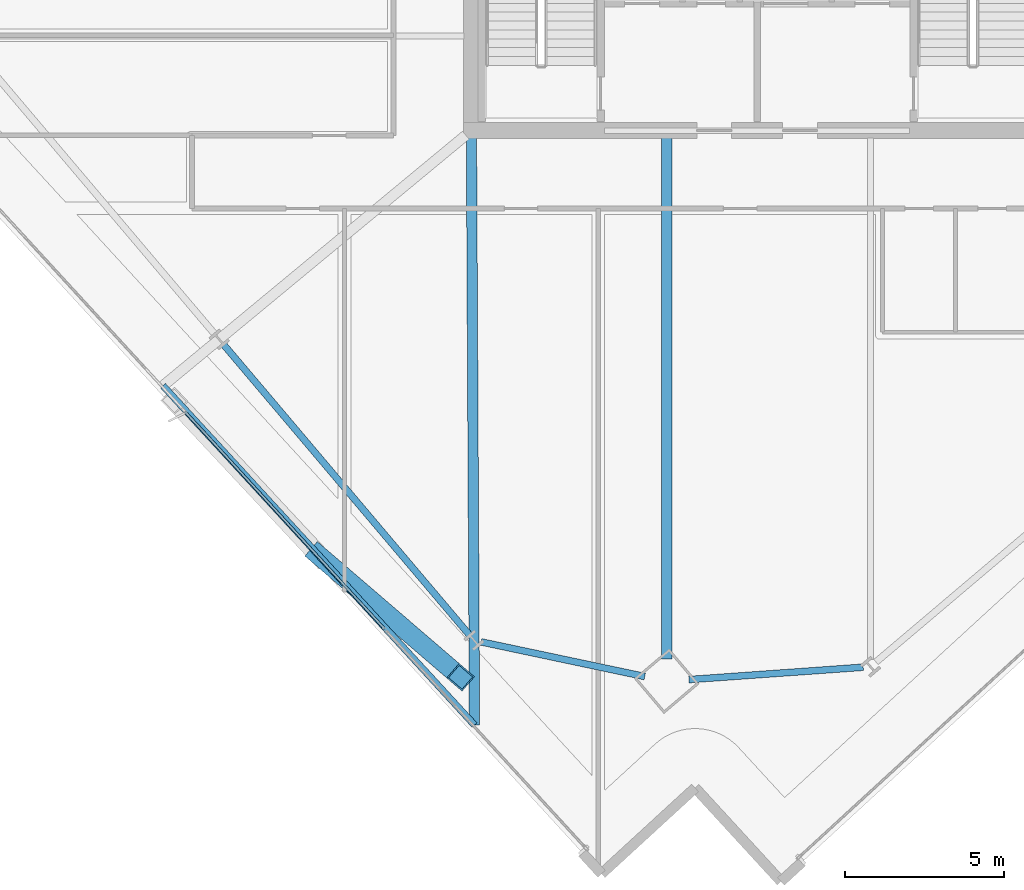
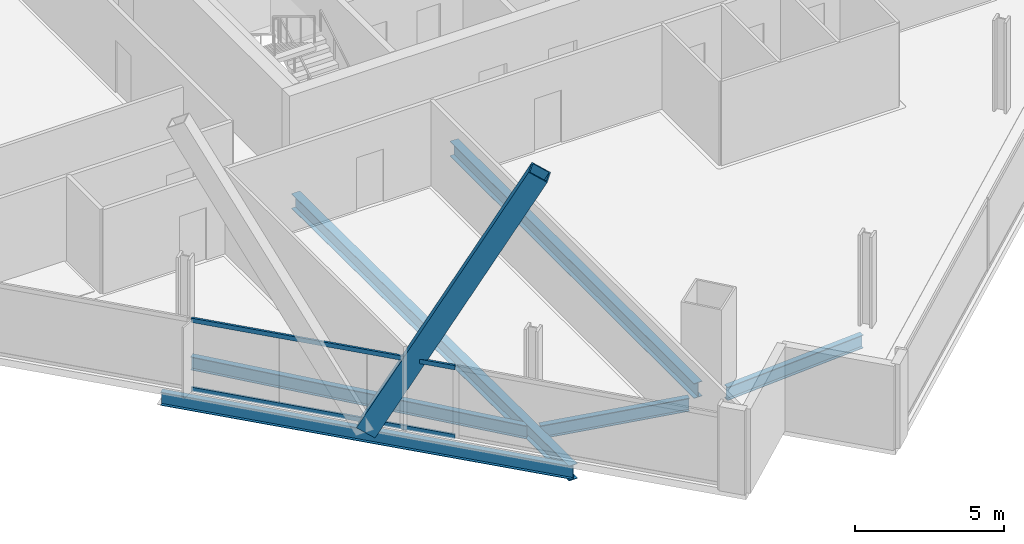
# One storey, part 3 of 32: 6 beams, 3 members, 1 element without a shape of its own.
"""IFC4 building model written with IfcOpenShell, lengths in metres."""

from ifc_helpers import new_model, si_unit, direction, frame, origin, origin_2d, place, context, subcontext, project, spatial, hollow_rectangle, i_section, extrude, material, material_profile, profile_set, type_object, element, aggregate, save


model = new_model("IFC4")

# Units and contexts
model_context = context("Model", 3, precision=1e-05, world=origin(), true_north=direction((0.0, 1.0)))
body_context = subcontext(model_context, "Body", "Model", "MODEL_VIEW")
ifc_project = project(units=[si_unit("LENGTHUNIT", "METRE"), si_unit("AREAUNIT", "SQUARE_METRE"), si_unit("VOLUMEUNIT", "CUBIC_METRE"), si_unit("PLANEANGLEUNIT", "RADIAN"), si_unit("MASSUNIT", "GRAM", prefix="KILO")], contexts=[model_context])

# Site, building, storey
site_placement = place(None, origin())
site = spatial("IfcSite", under=ifc_project, at=site_placement, CompositionType="ELEMENT")
building_placement = place(site_placement, origin())
building = spatial("IfcBuilding", under=site, at=building_placement, Name="Haldenkirk Collegiate Tower", CompositionType="ELEMENT")
storey_placement = place(building_placement, frame((0.0, 0.0, 170.699951171875)))
storey = spatial("IfcBuildingStorey", under=building, at=storey_placement, Name="L42", CompositionType="ELEMENT", Elevation=170.699951171875)

# Beams
ifc_material_1 = material(Name="Steel ASTM A992 Grade 50", Category="steel")
ifc_material_profile_1 = material_profile(ifc_material_1, i_section(OverallWidth=0.324951171875, OverallDepth=0.615966796875, WebThickness=0.013916015625, FlangeThickness=0.021484375, at=origin_2d()), Name="W24X117")
ifc_profile_set_1 = profile_set([ifc_material_profile_1], Name="Steel ASTM A992 Grade 50")
beam_type_1 = type_object("IfcBeamType", Name="BM-GIRDER-W24X117", PredefinedType="BEAM", material=ifc_profile_set_1)
beam_1_placement = place(storey_placement, frame((33.149169921875, 1.36279296875, -0.597900390625), z_axis=(0.0, 1.0, 0.0), x_axis=(-1.0, 0.0, 0.0)))
element("IfcBeam", 1, at=beam_1_placement, inside=storey, type_object=beam_type_1, Name="L42 primary floor girder 01", PredefinedType="BEAM", context=body_context, shape_type="SweptSolid", body=[
    extrude(i_section(OverallWidth=0.324951171875, OverallDepth=0.615966796875, WebThickness=0.013916015625, FlangeThickness=0.021484375, at=origin_2d()), origin(), (0.0, 0.0, 1.0), 16.4072265625),
])
beam_2_placement = place(storey_placement, frame((27.0966796875, -0.72314453125, -0.597900390625), z_axis=(-0.005161783691, 0.999986677906, 0.0), x_axis=(-0.999986677906, -0.005161783691, 0.0)))
element("IfcBeam", 2, at=beam_2_placement, inside=storey, type_object=beam_type_1, Name="L42 primary floor girder 16", PredefinedType="BEAM", context=body_context, shape_type="SweptSolid", body=[
    extrude(i_section(OverallWidth=0.324951171875, OverallDepth=0.615966796875, WebThickness=0.013916015625, FlangeThickness=0.021484375, at=origin_2d()), origin(), (0.0, 0.0, 1.0), 18.493408203125),
])
ifc_material_profile_2 = material_profile(ifc_material_1, i_section(OverallWidth=0.2119140625, OverallDepth=0.5439453125, WebThickness=0.01318359375, FlangeThickness=0.021240234375, at=origin_2d()), Name="W21X83")
ifc_profile_set_2 = profile_set([ifc_material_profile_2], Name="Steel ASTM A992 Grade 50")
beam_type_2 = type_object("IfcBeamType", Name="BM-SPANDREL-W21X83", PredefinedType="SPANDREL", material=ifc_profile_set_2)
beam_3_placement = place(storey_placement, frame((33.852294921875, 0.707763671875, -0.56201171875), z_axis=(0.997489017738, 0.070821320891, 0.0), x_axis=(-0.070821320891, 0.997489017738, 0.0)))
element("IfcBeam", 3, at=beam_3_placement, inside=storey, type_object=beam_type_2, Name="L42 perimeter spandrel beam 01", PredefinedType="SPANDREL", context=body_context, shape_type="SweptSolid", body=[
    extrude(i_section(OverallWidth=0.2119140625, OverallDepth=0.5439453125, WebThickness=0.01318359375, FlangeThickness=0.021240234375, at=origin_2d()), origin(), (0.0, 0.0, 1.0), 5.501953125),
])
beam_4_placement = place(storey_placement, frame((19.202880859375, 11.250732421875, -0.56201171875), z_axis=(0.646115074743, -0.763240008248, 0.0), x_axis=(0.763240008248, 0.646115074743, 0.0)))
element("IfcBeam", 4, at=beam_4_placement, inside=storey, type_object=beam_type_2, Name="L42 perimeter spandrel beam 15", PredefinedType="SPANDREL", context=body_context, shape_type="SweptSolid", body=[
    extrude(i_section(OverallWidth=0.2119140625, OverallDepth=0.5439453125, WebThickness=0.01318359375, FlangeThickness=0.021240234375, at=origin_2d()), origin(), (0.0, 0.0, 1.0), 11.966796875),
])
beam_5_placement = place(storey_placement, frame((27.306884765625, 1.89501953125, -0.56201171875), z_axis=(0.978307627668, -0.207157393416, 0.0), x_axis=(0.207157393416, 0.978307627668, 0.0)))
element("IfcBeam", 5, at=beam_5_placement, inside=storey, type_object=beam_type_2, Name="L42 perimeter spandrel beam 16", PredefinedType="SPANDREL", context=body_context, shape_type="SweptSolid", body=[
    extrude(i_section(OverallWidth=0.2119140625, OverallDepth=0.5439453125, WebThickness=0.01318359375, FlangeThickness=0.021240234375, at=origin_2d()), origin(), (0.0, 0.0, 1.0), 5.266845703125),
])
beam_6_placement = place(storey_placement, frame((17.287353515625, 9.963134765625, -0.56201171875), z_axis=(0.676232812572, -0.736687982256, 0.0), x_axis=(0.736687982256, 0.676232812572, 0.0)))
element("IfcBeam", 6, at=beam_6_placement, inside=storey, type_object=beam_type_2, Name="L42 outer facade edge beam 4", PredefinedType="SPANDREL", context=body_context, shape_type="SweptSolid", body=[
    extrude(i_section(OverallWidth=0.2119140625, OverallDepth=0.5439453125, WebThickness=0.01318359375, FlangeThickness=0.021240234375, at=origin_2d()), origin(), (0.0, 0.0, 1.0), 14.505859375),
])

# Curtain wall, members
ifc_material_2 = material(Name="Anodised architectural bronze aluminium", Category="aluminium")
curtain_wall_type = type_object("IfcCurtainWallType", Name="CW-SYS1-CONVEX-LOW", PredefinedType="USERDEFINED", material=ifc_material_2)
curtain_wall_placement = place(storey_placement, origin())
curtain_wall = element("IfcCurtainWall", 7, at=curtain_wall_placement, inside=storey, type_object=curtain_wall_type, Name="L42 Lower tower convex bronze-framed unitised curtain wall", ObjectType="UNITISED CURTAIN WALL", PredefinedType="USERDEFINED")
ifc_material_profile_3 = material_profile(ifc_material_2, hollow_rectangle(XDim=0.080078125, YDim=0.179931640625, WallThickness=0.0048828125, at=origin_2d()), Name="CW-TRN-1A")
ifc_profile_set_3 = profile_set([ifc_material_profile_3], Name="Anodised architectural bronze aluminium")
member_type_1 = type_object("IfcMemberType", Name="CW-TRN-1A", PredefinedType="USERDEFINED", material=ifc_profile_set_3)
member_1_placement = place(storey_placement, frame((24.260986328125, 2.306884765625, 0.0400390625), z_axis=(-0.676233880188, 0.736687002251, 0.0), x_axis=(-0.736687002251, -0.676233880188, 0.0)))
member_1 = element("IfcMember", 8, at=member_1_placement, type_object=member_type_1, Name="CW-1A transom 2.1", ObjectType="TRANSOM", PredefinedType="USERDEFINED", context=body_context, shape_type="SweptSolid", body=[
    extrude(hollow_rectangle(XDim=0.080078125, YDim=0.179931640625, WallThickness=0.0048828125, at=origin_2d()), origin(), (0.0, 0.0, 1.0), 9.28857421875),
])
member_2_placement = place(storey_placement, frame((24.260986328125, 2.306884765625, 2.87109375), z_axis=(-0.676233880188, 0.736687002251, 0.0), x_axis=(-0.736687002251, -0.676233880188, 0.0)))
member_2 = element("IfcMember", 9, at=member_2_placement, type_object=member_type_1, Name="CW-1A transom 2.2", ObjectType="TRANSOM", PredefinedType="USERDEFINED", context=body_context, shape_type="SweptSolid", body=[
    extrude(hollow_rectangle(XDim=0.080078125, YDim=0.179931640625, WallThickness=0.0048828125, at=origin_2d()), origin(), (0.0, 0.0, 1.0), 9.28857421875),
])
aggregate(curtain_wall, [member_1, member_2])

# Member
ifc_material_3 = material(Name="Steel ASTM A572 Grade 50", Category="steel")
ifc_material_profile_4 = material_profile(ifc_material_3, hollow_rectangle(XDim=0.60009765625, YDim=0.719970703125, WallThickness=0.044921875, at=origin_2d()), Name="BOX720X600X45")
ifc_profile_set_4 = profile_set([ifc_material_profile_4], Name="Steel ASTM A572 Grade 50")
member_type_2 = type_object("IfcMemberType", Name="MBR-MEGABRACE-BOX720X600X45", PredefinedType="BRACE", material=ifc_profile_set_4)
member_3_placement = place(storey_placement, frame((22.192138671875, 4.6201171875, -0.300048828125), z_axis=(0.351785641915, -0.302357240704, 0.885904600472), x_axis=(0.651818145994, 0.758375305869, 0.0)))
element("IfcMember", 10, at=member_3_placement, inside=storey, type_object=member_type_2, Name="Perimeter Mega Brace Z3 L42-L44 WR", PredefinedType="BRACE", context=body_context, shape_type="SweptSolid", body=[
    extrude(hollow_rectangle(XDim=0.60009765625, YDim=0.719970703125, WallThickness=0.044921875, at=origin_2d()), origin(), (0.0, 0.0, 1.0), 12.698974609375),
])

save(model, "model.ifc")
